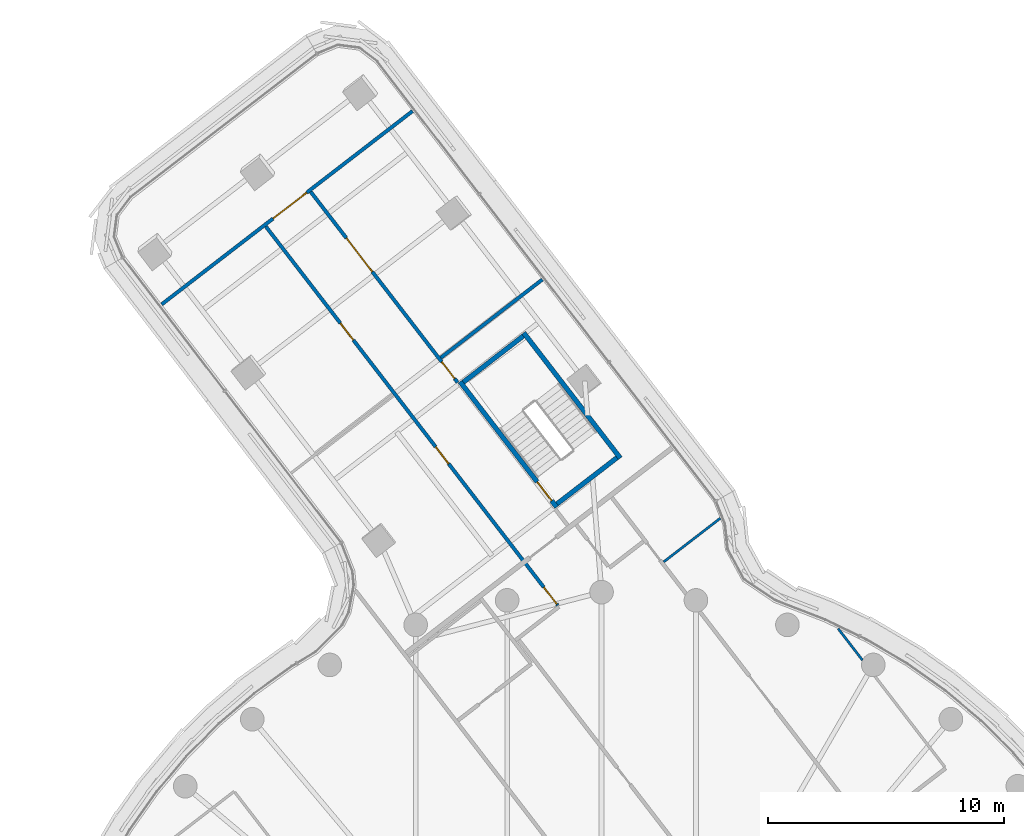
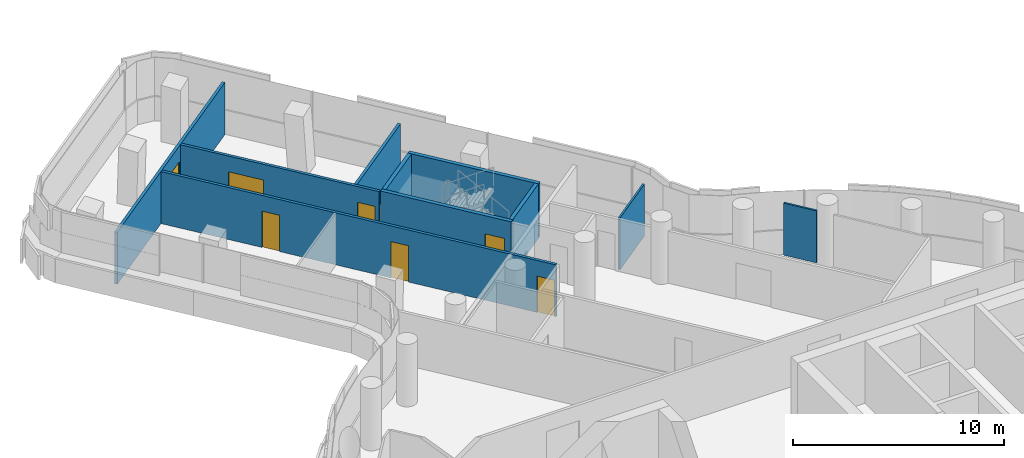
# One storey, part 24 of 33: 10 walls, 7 doors, 7 openings.
"""IFC4 building model written with IfcOpenShell, lengths in metres."""

from ifc_helpers import new_model, si_unit, direction, frame, frame_2d, origin, place, context, subcontext, project, spatial, polyline, rectangle, outline, extrude, material, layer, layer_set, type_object, element, fill, save


model = new_model("IFC4")

# Units and contexts
model_context = context("Model", 3, precision=1e-05, world=origin(), true_north=direction((0.0, 1.0)))
body_context = subcontext(model_context, "Body", "Model", "MODEL_VIEW")
ifc_project = project(units=[si_unit("LENGTHUNIT", "METRE"), si_unit("AREAUNIT", "SQUARE_METRE"), si_unit("VOLUMEUNIT", "CUBIC_METRE"), si_unit("PLANEANGLEUNIT", "RADIAN"), si_unit("MASSUNIT", "GRAM", prefix="KILO")], contexts=[model_context])

# Site, building, storey
site_placement = place(None, origin())
site = spatial("IfcSite", under=ifc_project, at=site_placement, CompositionType="ELEMENT")
building_placement = place(site_placement, origin())
building = spatial("IfcBuilding", under=site, at=building_placement, Name="Tamarind Cross Interchange Tower", CompositionType="ELEMENT")
storey_placement = place(building_placement, frame((0.0, 0.0, 170.5)))
storey = spatial("IfcBuildingStorey", under=building, at=storey_placement, Name="L42", CompositionType="ELEMENT", Elevation=170.5)

# Walls
ifc_material_1 = material(Name="Gypsum board partition on steel studs", Category="steel")
ifc_layer_1 = layer(ifc_material_1, 0.10009765625)
ifc_layer_set_1 = layer_set([ifc_layer_1], Name="Gypsum board partition on steel studs")
wall_type_1 = type_object("IfcWallType", Name="Partition 100 mm EI 90", PredefinedType="PARTITIONING", material=ifc_layer_set_1)
wall_1_placement = place(storey_placement, frame((10.01318359375, 21.455810546875, 0.0), z_axis=(0.0, 0.0, 1.0), x_axis=(0.610360453682, -0.792123801297, 0.0)))
element("IfcWall", 1, at=wall_1_placement, inside=storey, type_object=wall_type_1, Name="Partition L42-026", PredefinedType="PARTITIONING", context=body_context, shape_type="SweptSolid", body=[
    extrude(rectangle(XDim=1.6884765625, YDim=0.10009765625, at=frame_2d((0.84423828125, 0.0))), origin(), (0.0, 0.0, 1.0), 3.010009765625),
])
wall_2_placement = place(storey_placement, frame((2.630615234375, 24.279541015625, 0.0), z_axis=(0.0, 0.0, 1.0), x_axis=(0.792134594795, 0.610346445659, 0.0)))
element("IfcWall", 2, at=wall_2_placement, inside=storey, type_object=wall_type_1, Name="Partition L42-055", PredefinedType="PARTITIONING", context=body_context, shape_type="SweptSolid", body=[
    extrude(rectangle(XDim=3.0244140625, YDim=0.10009765625, at=frame_2d((1.51220703125, 0.0))), origin(), (0.0, 0.0, 1.0), 3.010009765625),
])

# Wall, openings, doors
ifc_layer_2 = layer(ifc_material_1, 0.14990234375)
ifc_layer_set_2 = layer_set([ifc_layer_2], Name="Gypsum board partition on steel studs")
wall_type_2 = type_object("IfcWallType", Name="Partition 150 mm EI 120", PredefinedType="PARTITIONING", material=ifc_layer_set_2)
wall_3_placement = place(storey_placement, frame((-14.207275390625, 38.4736328125, 0.0), z_axis=(0.0, 0.0, 1.0), x_axis=(0.610299925341, -0.792170436919, 0.0)))
wall_3 = element("IfcWall", 3, at=wall_3_placement, inside=storey, type_object=wall_type_2, Name="Partition L42-010", PredefinedType="PARTITIONING", context=body_context, shape_type="SweptSolid", body=[
    extrude(rectangle(XDim=20.240478515625, YDim=0.14990234375, at=frame_2d((10.1201171875, 0.0))), origin(), (0.0, 0.0, 1.0), 3.010009765625),
])
opening_1_placement = place(wall_3_placement, frame((19.270263671875, 0.0, 0.0)))
opening_1 = element("IfcOpeningElement", 4, at=opening_1_placement, cuts=wall_3, Name="Opening D03", PredefinedType="OPENING", context=body_context, shape_type="SweptSolid", body=[
    extrude(rectangle(XDim=0.89990234375, YDim=2.10009765625, at=frame_2d((0.449951171875, 1.050048828125))), frame((0.0, 0.0849609375, 0.0), z_axis=(0.0, -1.0, 0.0), x_axis=(1.0, 0.0, 0.0)), (0.0, 0.0, 1.0), 0.169921875),
])
opening_2_placement = place(wall_3_placement, frame((11.7705078125, 0.0, 0.0)))
opening_2 = element("IfcOpeningElement", 5, at=opening_2_placement, cuts=wall_3, Name="Opening D04", PredefinedType="OPENING", context=body_context, shape_type="SweptSolid", body=[
    extrude(rectangle(XDim=0.89990234375, YDim=2.10009765625, at=frame_2d((0.449951171875, 1.050048828125))), frame((0.0, 0.0849609375, 0.0), z_axis=(0.0, -1.0, 0.0), x_axis=(1.0, 0.0, 0.0)), (0.0, 0.0, 1.0), 0.169921875),
])
opening_3_placement = place(wall_3_placement, frame((5.169921875, 0.0, 0.0)))
opening_3 = element("IfcOpeningElement", 6, at=opening_3_placement, cuts=wall_3, Name="Opening D05", PredefinedType="OPENING", context=body_context, shape_type="SweptSolid", body=[
    extrude(rectangle(XDim=0.89990234375, YDim=2.10009765625, at=frame_2d((0.449951171875, 1.050048828125))), frame((0.0, 0.0849609375, 0.0), z_axis=(0.0, -1.0, 0.0), x_axis=(1.0, 0.0, 0.0)), (0.0, 0.0, 1.0), 0.169921875),
])
ifc_material_2 = material(Name="Fire-resisting door set")
door_type_1 = type_object("IfcDoorType", Name="Interior door 900 x 2100 FD60S", OperationType="SINGLE_SWING_LEFT", PredefinedType="DOOR", material=ifc_material_2)
door_1_placement = place(opening_1_placement, frame((0.89990234375, 0.0, 0.0), z_axis=(0.0, 0.0, 1.0), x_axis=(-1.0, 0.0, 0.0)))
door_1 = element("IfcDoor", 7, at=door_1_placement, inside=storey, type_object=door_type_1, Name="Door D03", OperationType="SINGLE_SWING_RIGHT", OverallHeight=2.10009765625, OverallWidth=0.89990234375, PredefinedType="DOOR", context=body_context, shape_type="SweptSolid", body=[
    extrude(rectangle(XDim=0.89990234375, YDim=2.10009765625, at=frame_2d((0.449951171875, 1.050048828125))), frame((0.0, 0.02490234375, 0.0), z_axis=(0.0, -1.0, 0.0), x_axis=(1.0, 0.0, 0.0)), (0.0, 0.0, 1.0), 0.050048828125),
])
fill(opening_1, door_1)
door_2_placement = place(opening_2_placement, frame((0.89990234375, 0.0, 0.0), z_axis=(0.0, 0.0, 1.0), x_axis=(-1.0, 0.0, 0.0)))
door_2 = element("IfcDoor", 8, at=door_2_placement, inside=storey, type_object=door_type_1, Name="Door D04", OperationType="SINGLE_SWING_RIGHT", OverallHeight=2.10009765625, OverallWidth=0.89990234375, PredefinedType="DOOR", context=body_context, shape_type="SweptSolid", body=[
    extrude(rectangle(XDim=0.89990234375, YDim=2.10009765625, at=frame_2d((0.449951171875, 1.050048828125))), frame((0.0, 0.02490234375, 0.0), z_axis=(0.0, -1.0, 0.0), x_axis=(1.0, 0.0, 0.0)), (0.0, 0.0, 1.0), 0.050048828125),
])
fill(opening_2, door_2)
door_3_placement = place(opening_3_placement, frame((0.89990234375, 0.0, 0.0), z_axis=(0.0, 0.0, 1.0), x_axis=(-1.0, 0.0, 0.0)))
door_3 = element("IfcDoor", 9, at=door_3_placement, inside=storey, type_object=door_type_1, Name="Door D05", OperationType="SINGLE_SWING_LEFT", OverallHeight=2.10009765625, OverallWidth=0.89990234375, PredefinedType="DOOR", context=body_context, shape_type="SweptSolid", body=[
    extrude(rectangle(XDim=0.89990234375, YDim=2.10009765625, at=frame_2d((0.449951171875, 1.050048828125))), frame((0.0, 0.02490234375, 0.0), z_axis=(0.0, -1.0, 0.0), x_axis=(1.0, 0.0, 0.0)), (0.0, 0.0, 1.0), 0.050048828125),
])
fill(opening_3, door_3)

wall_4_placement = place(storey_placement, frame((-12.30517578125, 39.9375, 0.0), z_axis=(0.0, 0.0, 1.0), x_axis=(0.610322598118, -0.792152968956, 0.0)))
wall_4 = element("IfcWall", 10, at=wall_4_placement, inside=storey, type_object=wall_type_2, Name="Partition L42-011", PredefinedType="PARTITIONING", context=body_context, shape_type="SweptSolid", body=[
    extrude(rectangle(XDim=10.178955078125, YDim=0.14990234375, at=frame_2d((5.08935546875, 0.0))), origin(), (0.0, 0.0, 1.0), 3.010009765625),
])
opening_4_placement = place(wall_4_placement, frame((2.469970703125, 0.0, 0.0)))
opening_4 = element("IfcOpeningElement", 11, at=opening_4_placement, cuts=wall_4, Name="Opening D06", PredefinedType="OPENING", context=body_context, shape_type="SweptSolid", body=[
    extrude(rectangle(XDim=1.800048828125, YDim=2.10009765625, at=frame_2d((0.89990234375, 1.050048828125))), frame((0.0, 0.0849609375, 0.0), z_axis=(0.0, -1.0, 0.0), x_axis=(1.0, 0.0, 0.0)), (0.0, 0.0, 1.0), 0.169921875),
])
opening_5_placement = place(wall_4_placement, frame((9.069091796875, 0.0, 0.0)))
opening_5 = element("IfcOpeningElement", 12, at=opening_5_placement, cuts=wall_4, Name="Opening D07", PredefinedType="OPENING", context=body_context, shape_type="SweptSolid", body=[
    extrude(rectangle(XDim=0.89990234375, YDim=2.10009765625, at=frame_2d((0.449951171875, 1.050048828125))), frame((0.0, 0.0849609375, 0.0), z_axis=(0.0, -1.0, 0.0), x_axis=(1.0, 0.0, 0.0)), (0.0, 0.0, 1.0), 0.169921875),
])
door_type_2 = type_object("IfcDoorType", Name="Interior door 1800 x 2100 FD60S", OperationType="DOUBLE_DOOR_SINGLE_SWING", PredefinedType="DOOR", material=ifc_material_2)
door_4_placement = place(opening_4_placement, origin())
door_4 = element("IfcDoor", 13, at=door_4_placement, inside=storey, type_object=door_type_2, Name="Door D06", OperationType="DOUBLE_DOOR_SINGLE_SWING", OverallHeight=2.10009765625, OverallWidth=1.800048828125, PredefinedType="DOOR", context=body_context, shape_type="SweptSolid", body=[
    extrude(rectangle(XDim=1.800048828125, YDim=2.10009765625, at=frame_2d((0.89990234375, 1.050048828125))), frame((0.0, 0.02490234375, 0.0), z_axis=(0.0, -1.0, 0.0), x_axis=(1.0, 0.0, 0.0)), (0.0, 0.0, 1.0), 0.050048828125),
])
fill(opening_4, door_4)
door_5_placement = place(opening_5_placement, origin())
door_5 = element("IfcDoor", 14, at=door_5_placement, inside=storey, type_object=door_type_1, Name="Door D07", OperationType="SINGLE_SWING_LEFT", OverallHeight=2.10009765625, OverallWidth=0.89990234375, PredefinedType="DOOR", context=body_context, shape_type="SweptSolid", body=[
    extrude(rectangle(XDim=0.89990234375, YDim=2.10009765625, at=frame_2d((0.449951171875, 1.050048828125))), frame((0.0, 0.02490234375, 0.0), z_axis=(0.0, -1.0, 0.0), x_axis=(1.0, 0.0, 0.0)), (0.0, 0.0, 1.0), 0.050048828125),
])
fill(opening_5, door_5)

# Wall, opening, door
wall_5_placement = place(storey_placement, frame((-18.6171875, 35.176513671875, 0.0), z_axis=(0.0, 0.0, 1.0), x_axis=(0.792132187255, 0.610349570259, 0.0)))
wall_5 = element("IfcWall", 15, at=wall_5_placement, inside=storey, type_object=wall_type_2, Name="Partition L42-050", PredefinedType="PARTITIONING", context=body_context, shape_type="SweptSolid", body=[
    extrude(rectangle(XDim=13.40478515625, YDim=0.14990234375, at=frame_2d((6.702392578125, 0.0))), origin(), (0.0, 0.0, 1.0), 3.010009765625),
])
opening_6_placement = place(wall_5_placement, frame((5.955810546875, 0.0, 0.0)))
opening_6 = element("IfcOpeningElement", 16, at=opening_6_placement, cuts=wall_5, Name="Opening D29", PredefinedType="OPENING", context=body_context, shape_type="SweptSolid", body=[
    extrude(rectangle(XDim=1.800048828125, YDim=2.10009765625, at=frame_2d((0.89990234375, 1.050048828125))), frame((0.0, 0.0849609375, 0.0), z_axis=(0.0, -1.0, 0.0), x_axis=(1.0, 0.0, 0.0)), (0.0, 0.0, 1.0), 0.169921875),
])
door_6_placement = place(opening_6_placement, origin())
door_6 = element("IfcDoor", 17, at=door_6_placement, inside=storey, type_object=door_type_2, Name="Door D29", OperationType="DOUBLE_DOOR_SINGLE_SWING", OverallHeight=2.10009765625, OverallWidth=1.800048828125, PredefinedType="DOOR", context=body_context, shape_type="SweptSolid", body=[
    extrude(rectangle(XDim=1.800048828125, YDim=2.10009765625, at=frame_2d((0.89990234375, 1.050048828125))), frame((0.0, 0.02490234375, 0.0), z_axis=(0.0, -1.0, 0.0), x_axis=(1.0, 0.0, 0.0)), (0.0, 0.0, 1.0), 0.050048828125),
])
fill(opening_6, door_6)

# Wall
wall_6_placement = place(storey_placement, frame((-6.798583984375, 32.920654296875, 0.0), z_axis=(0.0, 0.0, 1.0), x_axis=(0.792109570868, 0.610378921441, 0.0)))
element("IfcWall", 18, at=wall_6_placement, inside=storey, type_object=wall_type_2, Name="Partition L42-053", PredefinedType="PARTITIONING", context=body_context, shape_type="SweptSolid", body=[
    extrude(rectangle(XDim=5.41943359375, YDim=0.14990234375, at=frame_2d((2.709716796875, 0.0))), origin(), (0.0, 0.0, 1.0), 3.010009765625),
])

# Wall, opening, door
ifc_material_3 = material(Name="Concrete C40", Category="concrete")
ifc_layer_3 = layer(ifc_material_3, 0.199951171875)
ifc_layer_set_3 = layer_set([ifc_layer_3], Name="Concrete C40")
wall_type_3 = type_object("IfcWallType", Name="Stair shaft wall 200 mm Concrete C40", PredefinedType="SHEAR", material=ifc_layer_set_3)
wall_7_placement = place(storey_placement, frame((-1.899658203125, 26.595703125, -0.139892578125), z_axis=(0.0, 0.0, 1.0), x_axis=(-0.610326897316, 0.792149656576, 0.0)))
wall_7 = element("IfcWall", 19, at=wall_7_placement, inside=storey, type_object=wall_type_3, Name="Core wall CWL-L42-ST4-H", PredefinedType="SHEAR", context=body_context, shape_type="SweptSolid", body=[
    extrude(rectangle(XDim=6.7001953125, YDim=0.199951171875, at=frame_2d((3.35009765625, 0.0))), origin(), (0.0, 0.0, 1.0), 3.14990234375),
])
opening_7_placement = place(wall_7_placement, frame((0.35009765625, 0.0, 0.0)))
opening_7 = element("IfcOpeningElement", 20, at=opening_7_placement, cuts=wall_7, Name="Opening ST4L42", PredefinedType="OPENING", context=body_context, shape_type="SweptSolid", body=[
    extrude(rectangle(XDim=1.0, YDim=2.10009765625, at=frame_2d((0.5, 1.050048828125))), frame((0.0, 0.10986328125, 0.0), z_axis=(0.0, -1.0, 0.0), x_axis=(1.0, 0.0, 0.0)), (0.0, 0.0, 1.0), 0.219970703125),
])
ifc_material_4 = material(Name="Steel, fire-resisting", Category="steel")
door_type_3 = type_object("IfcDoorType", Name="Core fire door 1000 x 2100 FD90", OperationType="SINGLE_SWING_LEFT", PredefinedType="DOOR", material=ifc_material_4)
door_7_placement = place(opening_7_placement, origin())
door_7 = element("IfcDoor", 21, at=door_7_placement, inside=storey, type_object=door_type_3, Name="L42 stair door ST4", OperationType="SINGLE_SWING_LEFT", OverallHeight=2.10009765625, OverallWidth=1.0, PredefinedType="DOOR", context=body_context, shape_type="SweptSolid", body=[
    extrude(rectangle(XDim=1.0, YDim=2.10009765625, at=frame_2d((0.5, 1.050048828125))), frame((0.0, 0.02490234375, 0.0), z_axis=(0.0, -1.0, 0.0), x_axis=(1.0, 0.0, 0.0)), (0.0, 0.0, 1.0), 0.050048828125),
])
fill(opening_7, door_7)

# Walls
wall_8_placement = place(storey_placement, frame((0.793701171875, 28.6708984375, -0.139892578125), z_axis=(0.0, 0.0, 1.0), x_axis=(-0.610344514085, 0.792136083086, 0.0)))
element("IfcWall", 22, at=wall_8_placement, inside=storey, type_object=wall_type_3, Name="Core wall CWL-L42-ST4-C", PredefinedType="SHEAR", context=body_context, shape_type="SweptSolid", body=[
    extrude(rectangle(XDim=6.7001953125, YDim=0.199951171875, at=frame_2d((3.35009765625, 0.0))), origin(), (0.0, 0.0, 1.0), 3.14990234375),
])
wall_9_placement = place(storey_placement, frame((0.6533203125, 28.68896484375, -0.139892578125), z_axis=(0.0, 0.0, 1.0), x_axis=(-0.792178482979, -0.610289481398, 0.0)))
element("IfcWall", 23, at=wall_9_placement, inside=storey, type_object=wall_type_3, Name="Core wall CWL-L42-ST4-CE", PredefinedType="SHEAR", context=body_context, shape_type="SweptSolid", body=[
    extrude(rectangle(XDim=3.199951171875, YDim=0.199951171875, at=frame_2d((1.60009765625, 0.0))), origin(), (0.0, 0.0, 1.0), 3.14990234375),
])
wall_10_placement = place(storey_placement, frame((0.0, 0.0, -0.139892578125)))
element("IfcWall", 24, at=wall_10_placement, inside=storey, type_object=wall_type_3, Name="Core wall CWL-L42-ST4-CF", PredefinedType="SHEAR", context=body_context, shape_type="SweptSolid", body=[
    extrude(outline(polyline([(-3.252685546875, 33.7587890625), (-3.374755859375, 33.917236328125), (-5.90966796875, 31.964111328125), (-5.78759765625, 31.805908203125), (-3.252685546875, 33.7587890625)])), origin(), (0.0, 0.0, 1.0), 3.14990234375),
])

save(model, "model.ifc")
